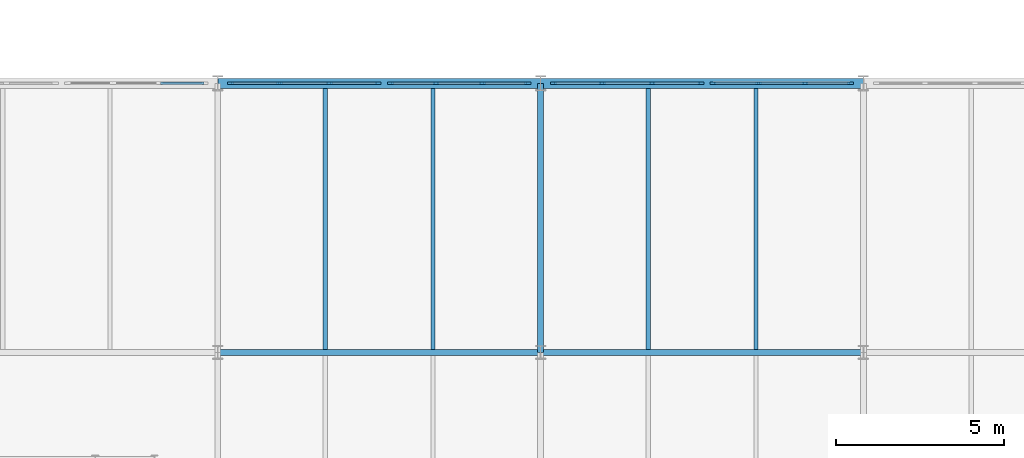
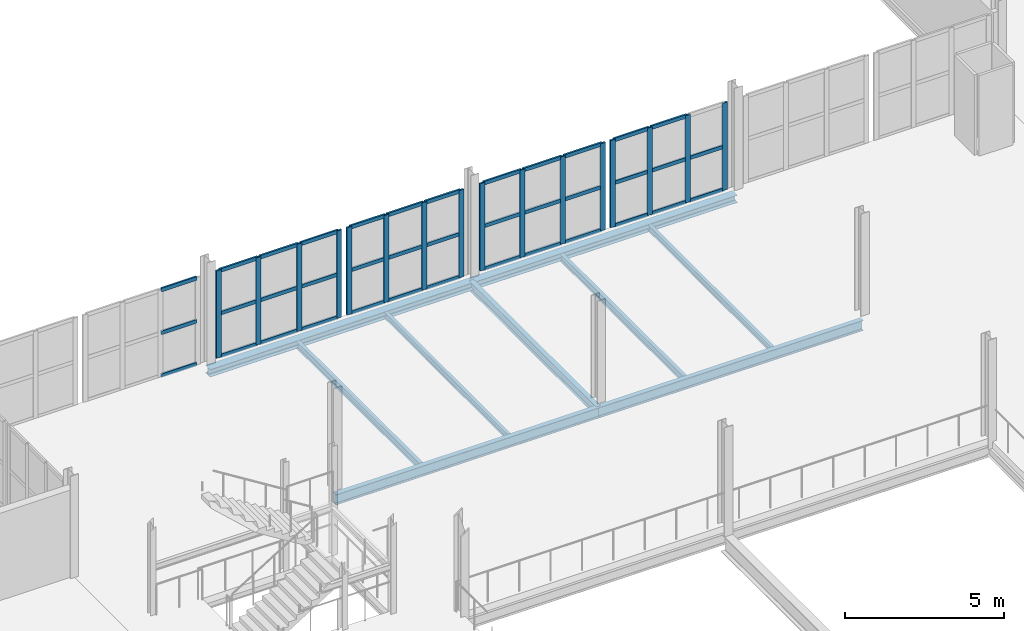
# One storey, part 49 of 85: 54 members, 9 beams, 5 elements without a shape of their own.
"""IFC4 building model written with IfcOpenShell, lengths in metres."""

import ifcopenshell
import ifcopenshell.guid

model = None  # the IFC model being written
_history = None  # IfcOwnerHistory: only IFC2X3 demands one
_inside = {}  # id of a spatial element -> (the spatial element, [elements in it])
_under = {}  # id of a project, library or spatial element -> (it, [spatial elements below it])
_declared = {}  # id of a project -> (the project, [libraries it declares])
_typed = {}  # id of a type object -> (the type object, [elements of that type])
_made_of = {}  # id of a material, layer set ... -> (it, [elements and type objects made of it])


def new_model(schema):
    """Start an empty IFC model of exactly this schema.

    Asked for "IFC4X3", IfcOpenShell would pick the latest addendum, in which some entities
    have other attributes; the version numbers below select the first issue.
    IFC2X3 requires an IfcOwnerHistory on every rooted entity: one is made here for all.
    """
    global model, _history
    if schema == "IFC4X3":
        model = ifcopenshell.file(schema_version=(4, 3, 0, 0))
    else:
        model = ifcopenshell.file(schema=schema)
    _inside.clear()
    _under.clear()
    _declared.clear()
    _typed.clear()
    _made_of.clear()
    _history = None
    if model.schema == "IFC2X3":
        org = make("IfcOrganization", Name="unknown")
        user = make(
            "IfcPersonAndOrganization",
            ThePerson=make("IfcPerson", FamilyName="unknown"),
            TheOrganization=org,
        )
        app = make(
            "IfcApplication",
            ApplicationDeveloper=org,
            Version="unknown",
            ApplicationFullName="unknown",
            ApplicationIdentifier="unknown",
        )
        _history = make(
            "IfcOwnerHistory",
            OwningUser=user,
            OwningApplication=app,
            ChangeAction="ADDED",
            CreationDate=0,
        )
    return model


def make(cls, **values):
    """One entity of the class cls with the attributes given. An attribute that is None is left unset."""
    return model.create_entity(
        cls, **{name: value for name, value in values.items() if value is not None}
    )


def rooted(cls, **values):
    """An entity with a GlobalId (a new one), such as an element, a storey or a relation."""
    return make(cls, GlobalId=ifcopenshell.guid.new(), OwnerHistory=_history, **values)


def si_unit(unit_type, name, prefix=None):
    """IfcSIUnit, for example si_unit("LENGTHUNIT", "METRE", prefix="MILLI")."""
    return make("IfcSIUnit", UnitType=unit_type, Prefix=prefix, Name=name)


def assignment(units):
    """IfcUnitAssignment: the units of a project."""
    return None if units is None else make("IfcUnitAssignment", Units=units)


def point(xyz):
    """IfcCartesianPoint."""
    return None if xyz is None else make("IfcCartesianPoint", Coordinates=xyz)


def direction(xyz):
    """IfcDirection."""
    return None if xyz is None else make("IfcDirection", DirectionRatios=xyz)


def frame(location, z_axis=None, x_axis=None):
    """IfcAxis2Placement3D, a coordinate frame: its origin and axes. An axis left out is left unset."""
    return make(
        "IfcAxis2Placement3D",
        Location=point(location),
        Axis=direction(z_axis),
        RefDirection=direction(x_axis),
    )


def frame_2d(location, x_axis=None):
    """IfcAxis2Placement2D, a coordinate frame in the plane: its origin and x axis."""
    return make(
        "IfcAxis2Placement2D", Location=point(location), RefDirection=direction(x_axis)
    )


def origin():
    """The frame at (0, 0, 0) with its axes left unset."""
    return frame((0.0, 0.0, 0.0))


def origin_2d():
    """The frame at (0, 0) in the plane with its x axis left unset."""
    return frame_2d((0.0, 0.0))


def place(relative_to, where):
    """IfcLocalPlacement: puts the frame where relative to a parent placement (None: the world)."""
    return make(
        "IfcLocalPlacement", PlacementRelTo=relative_to, RelativePlacement=where
    )


def context(
    kind, dimensions, precision=None, world=None, true_north=None, identifier=None
):
    """IfcGeometricRepresentationContext, for example the 3D "Model" context."""
    return make(
        "IfcGeometricRepresentationContext",
        ContextIdentifier=identifier,
        ContextType=kind,
        CoordinateSpaceDimension=dimensions,
        Precision=precision,
        WorldCoordinateSystem=world,
        TrueNorth=true_north,
    )


def subcontext(parent, identifier, kind, view, scale=None):
    """IfcGeometricRepresentationSubContext, for example "Body" below "Model"."""
    return make(
        "IfcGeometricRepresentationSubContext",
        ContextIdentifier=identifier,
        ContextType=kind,
        ParentContext=parent,
        TargetScale=scale,
        TargetView=view,
    )


def project(units=None, contexts=None):
    """IfcProject with its units and contexts."""
    return rooted(
        "IfcProject",
        Name="project",
        RepresentationContexts=contexts,
        UnitsInContext=assignment(units),
    )


def spatial(cls, under=None, at=None, **own):
    """A site, building, storey or space (cls), placed at a placement, below another one or the project."""
    s = rooted(cls, ObjectPlacement=at, **own)
    if under is not None:
        _under.setdefault(under.id(), (under, []))[1].append(s)
    return s


def profile(cls, at=None, kind="AREA", **sizes):
    """A parametric profile (cls). Its sizes go by their IFC names, for example OverallWidth=200.0."""
    return make(cls, ProfileType=kind, Position=at, **sizes)


def rectangle(**sizes):
    """IfcRectangleProfileDef."""
    return profile("IfcRectangleProfileDef", **sizes)


def i_section(**sizes):
    """IfcIShapeProfileDef."""
    return profile("IfcIShapeProfileDef", **sizes)


def extrude(swept, where, along, depth):
    """IfcExtrudedAreaSolid: the profile swept, set in the frame where, extruded along a direction by depth."""
    return make(
        "IfcExtrudedAreaSolid",
        SweptArea=swept,
        Position=where,
        ExtrudedDirection=direction(along),
        Depth=depth,
    )


def shape(context_of_items, identifier, shape_type, items):
    """IfcShapeRepresentation: the items that make up one representation, for example the "Body"."""
    return make(
        "IfcShapeRepresentation",
        ContextOfItems=context_of_items,
        RepresentationIdentifier=identifier,
        RepresentationType=shape_type,
        Items=items,
    )


def material(Name=None, Category=None):
    """IfcMaterial."""
    return make("IfcMaterial", Name=Name, Category=Category)


def layer(
    of_material, thickness, ventilated=None, Name=None, Category=None, Priority=None
):
    """IfcMaterialLayer: one layer of a wall or slab, of a material (None: an air gap)."""
    return make(
        "IfcMaterialLayer",
        Material=of_material,
        LayerThickness=thickness,
        IsVentilated=ventilated,
        Name=Name,
        Category=Category,
        Priority=Priority,
    )


def layer_set(layers, Name=None):
    """IfcMaterialLayerSet."""
    return make("IfcMaterialLayerSet", MaterialLayers=layers, LayerSetName=Name)


def material_profile(
    of_material, cross_section, Name=None, Category=None, Priority=None
):
    """IfcMaterialProfile: a cross section and its material."""
    return make(
        "IfcMaterialProfile",
        Name=Name,
        Material=of_material,
        Profile=cross_section,
        Priority=Priority,
        Category=Category,
    )


def profile_set(profiles, Name=None, composite=None):
    """IfcMaterialProfileSet."""
    return make(
        "IfcMaterialProfileSet",
        Name=Name,
        MaterialProfiles=profiles,
        CompositeProfile=composite,
    )


def made_of(thing, what):
    """Note that an element or type object is made of a material, layer set ...; save() writes the relation."""
    if what is not None:
        _made_of.setdefault(what.id(), (what, []))[1].append(thing)
    return thing


def type_object(cls, material=None, **own):
    """A type object (cls), such as IfcWallType, which elements share."""
    return made_of(rooted(cls, **own), material)


def element(
    cls,
    number,
    at=None,
    inside=None,
    cuts=None,
    type_object=None,
    material=None,
    context=None,
    identifier="Body",
    shape_type=None,
    held_by="IfcProductDefinitionShape",
    body=None,
    shapes=None,
    **own,
):
    """One element of the class cls, such as IfcWall. Its Tag is "e" and its number.

    at: its placement. inside: the storey or other place that contains it. cuts: it is an
    opening in that element (IfcRelVoidsElement). A single representation is given by context,
    identifier, shape_type and body (its items); several are given by shapes. held_by: the class
    of the entity that holds the representations. save() writes the other relations.
    """
    e = rooted(cls, Tag="e%d" % number, ObjectPlacement=at, **own)
    if body is not None:
        shapes = [shape(context, identifier, shape_type, body)]
    if shapes is not None:
        e.Representation = make(held_by, Representations=shapes)
    if inside is not None:
        _inside.setdefault(inside.id(), (inside, []))[1].append(e)
    if cuts is not None:
        rooted(
            "IfcRelVoidsElement", RelatingBuildingElement=cuts, RelatedOpeningElement=e
        )
    if type_object is not None:
        _typed.setdefault(type_object.id(), (type_object, []))[1].append(e)
    return made_of(e, material)


def aggregate(whole, parts):
    """IfcRelAggregates: a whole, such as a stair, and the parts it consists of."""
    return rooted("IfcRelAggregates", RelatingObject=whole, RelatedObjects=parts)


def save(model, path):
    """Write the relations noted so far, then the file.

    IfcRelAggregates (storeys below a building ...), IfcRelContainedInSpatialStructure (elements
    in a storey), IfcRelDefinesByType, IfcRelAssociatesMaterial and IfcRelDeclares: one each for
    every whole, place, type object, material and project.
    """
    for whole, parts in _under.values():
        aggregate(whole, parts)
    for where, things in _inside.values():
        rooted(
            "IfcRelContainedInSpatialStructure",
            RelatedElements=things,
            RelatingStructure=where,
        )
    for kind, things in _typed.values():
        rooted("IfcRelDefinesByType", RelatedObjects=things, RelatingType=kind)
    for what, things in _made_of.values():
        rooted("IfcRelAssociatesMaterial", RelatedObjects=things, RelatingMaterial=what)
    for by, libraries in _declared.values():
        rooted("IfcRelDeclares", RelatingContext=by, RelatedDefinitions=libraries)
    model.write(path)


model = new_model("IFC4")

# Units and contexts
model_context = context("Model", 3, precision=1e-05, world=origin(), true_north=direction((0.0, 1.0)))
body_context = subcontext(model_context, "Body", "Model", "MODEL_VIEW")
ifc_project = project(units=[si_unit("LENGTHUNIT", "METRE"), si_unit("AREAUNIT", "SQUARE_METRE"), si_unit("VOLUMEUNIT", "CUBIC_METRE"), si_unit("PLANEANGLEUNIT", "RADIAN"), si_unit("MASSUNIT", "GRAM", prefix="KILO")], contexts=[model_context])

# Site, building, storey
site_placement = place(None, origin())
site = spatial("IfcSite", under=ifc_project, at=site_placement, CompositionType="ELEMENT")
building_placement = place(site_placement, origin())
building = spatial("IfcBuilding", under=site, at=building_placement, Name="Alderhovde Museum", CompositionType="ELEMENT")
storey_placement = place(building_placement, frame((0.0, 0.0, 8.699951171875)))
storey = spatial("IfcBuildingStorey", under=building, at=storey_placement, Name="L02", CompositionType="ELEMENT", Elevation=8.699951171875)

# Beams
ifc_material_1 = material(Name="Steel S355J2", Category="steel")
ifc_material_profile_1 = material_profile(ifc_material_1, i_section(OverallWidth=0.169921875, OverallDepth=0.360107421875, WebThickness=0.008056640625, FlangeThickness=0.0126953125, FilletRadius=0.01806640625, at=origin_2d()), Name="IPE 360")
ifc_profile_set_1 = profile_set([ifc_material_profile_1], Name="Steel S355J2")
beam_type_1 = type_object("IfcBeamType", Name="BM-IPE360", PredefinedType="BEAM", material=ifc_profile_set_1)
beam_placement = place(storey_placement, frame((96.0, 80.0, -0.43994140625), z_axis=(0.0, 1.0, 0.0), x_axis=(-1.0, 0.0, 0.0)))
element("IfcBeam", 1, at=beam_placement, inside=storey, type_object=beam_type_1, Name="L02 Grid Beam X=96.0 (80.0 TO 88.0)", PredefinedType="BEAM", context=body_context, shape_type="SweptSolid", body=[
    extrude(i_section(OverallWidth=0.169921875, OverallDepth=0.360107421875, WebThickness=0.008056640625, FlangeThickness=0.0126953125, FilletRadius=0.01806640625, at=origin_2d()), origin(), (0.0, 0.0, 1.0), 8.0),
])
ifc_material_2 = material(Name="Steel S355J2", Category="steel")
ifc_material_profile_2 = material_profile(ifc_material_2, i_section(OverallWidth=0.179931640625, OverallDepth=0.39990234375, WebThickness=0.008544921875, FlangeThickness=0.013427734375, FilletRadius=0.02099609375, at=origin_2d()), Name="IPE 400")
ifc_profile_set_2 = profile_set([ifc_material_profile_2], Name="Steel S355J2")
beam_type_2 = type_object("IfcBeamType", Name="BM-IPE400", PredefinedType="BEAM", material=ifc_profile_set_2)
for number, where, z_axis, x_axis, name in (
    (2, (86.39990234375, 80.0, -0.4599609375), (1.0, 0.0, 0.0), (0.0, 1.0, 0.0), "L02 Grid Beam Y=80.0 (86.4 TO 96.0)"),
    (3, (96.0, 80.0, -0.4599609375), (1.0, 0.0, 0.0), (0.0, 1.0, 0.0), "L02 Grid Beam Y=80.0 (96.0 TO 105.6)"),
):
    element("IfcBeam", number, at=place(storey_placement, frame(where, z_axis=z_axis, x_axis=x_axis)), inside=storey, type_object=beam_type_2, Name=name, PredefinedType="BEAM", context=body_context, shape_type="SweptSolid", body=[
        extrude(i_section(OverallWidth=0.179931640625, OverallDepth=0.39990234375, WebThickness=0.008544921875, FlangeThickness=0.013427734375, FilletRadius=0.02099609375, at=origin_2d()), origin(), (0.0, 0.0, 1.0), 9.60009765625),
    ])

# Curtain wall, members
ifc_material_3 = material(Name="Triple-Glazed Bronze-Anodised Curtain Wall", Category="glass")
ifc_layer_1 = layer(ifc_material_3, 0.179931640625)
ifc_layer_set_1 = layer_set([ifc_layer_1], Name="Triple-Glazed Bronze-Anodised Curtain Wall")
curtain_wall_type_1 = type_object("IfcCurtainWallType", Name="CW-UNIT-445x336", PredefinedType="USERDEFINED", material=ifc_layer_set_1)
curtain_wall_1_placement = place(storey_placement, origin())
curtain_wall_1 = element("IfcCurtainWall", 4, at=curtain_wall_1_placement, inside=storey, type_object=curtain_wall_type_1, Name="L02 Unitised Curtain Wall 29", ObjectType="UNITISED CURTAIN WALL", PredefinedType="USERDEFINED")
ifc_material_4 = material(Name="Bronze-Anodised Aluminium EN AW-6063-T6", Category="aluminium")
ifc_material_profile_3 = material_profile(ifc_material_4, rectangle(XDim=0.06494140625, YDim=0.179931640625, at=origin_2d()), Name="MULLION 65x180")
ifc_profile_set_3 = profile_set([ifc_material_profile_3], Name="Bronze-Anodised Aluminium EN AW-6063-T6")
member_type_1 = type_object("IfcMemberType", Name="CWM-65x180", PredefinedType="MULLION", material=ifc_profile_set_3)
member_1_placement = place(storey_placement, frame((86.782470703125, 88.0, 0.0), z_axis=(0.0, 0.0, 1.0), x_axis=(0.0, 1.0, 0.0)))
member_1 = element("IfcMember", 5, at=member_1_placement, type_object=member_type_1, Name="CW10 mullion 1", PredefinedType="MULLION", context=body_context, shape_type="SweptSolid", body=[
    extrude(rectangle(XDim=0.06494140625, YDim=0.179931640625, at=origin_2d()), origin(), (0.0, 0.0, 1.0), 3.360107421875),
])
member_2_placement = place(storey_placement, frame((88.2333984375, 88.0, 0.0), z_axis=(0.0, 0.0, 1.0), x_axis=(0.0, 1.0, 0.0)))
member_2 = element("IfcMember", 6, at=member_2_placement, type_object=member_type_1, Name="CW10 mullion 2", PredefinedType="MULLION", context=body_context, shape_type="SweptSolid", body=[
    extrude(rectangle(XDim=0.06494140625, YDim=0.179931640625, at=origin_2d()), origin(), (0.0, 0.0, 1.0), 3.360107421875),
])
member_3_placement = place(storey_placement, frame((89.716552734375, 88.0, 0.0), z_axis=(0.0, 0.0, 1.0), x_axis=(0.0, 1.0, 0.0)))
member_3 = element("IfcMember", 7, at=member_3_placement, type_object=member_type_1, Name="CW10 mullion 3", PredefinedType="MULLION", context=body_context, shape_type="SweptSolid", body=[
    extrude(rectangle(XDim=0.06494140625, YDim=0.179931640625, at=origin_2d()), origin(), (0.0, 0.0, 1.0), 3.360107421875),
])
member_4_placement = place(storey_placement, frame((91.16748046875, 88.0, 0.0), z_axis=(0.0, 0.0, 1.0), x_axis=(0.0, 1.0, 0.0)))
member_4 = element("IfcMember", 8, at=member_4_placement, type_object=member_type_1, Name="CW10 mullion 4", PredefinedType="MULLION", context=body_context, shape_type="SweptSolid", body=[
    extrude(rectangle(XDim=0.06494140625, YDim=0.179931640625, at=origin_2d()), origin(), (0.0, 0.0, 1.0), 3.360107421875),
])

ifc_material_5 = material(Name="Triple-Glazed Bronze-Anodised Curtain Wall", Category="glass")
ifc_layer_2 = layer(ifc_material_5, 0.179931640625)
ifc_layer_set_2 = layer_set([ifc_layer_2], Name="Triple-Glazed Bronze-Anodised Curtain Wall")
curtain_wall_type_2 = type_object("IfcCurtainWallType", Name="CW-UNIT-415x336", PredefinedType="USERDEFINED", material=ifc_layer_set_2)
curtain_wall_2_placement = place(storey_placement, origin())
curtain_wall_2 = element("IfcCurtainWall", 9, at=curtain_wall_2_placement, inside=storey, type_object=curtain_wall_type_2, Name="L02 Unitised Curtain Wall 30", ObjectType="UNITISED CURTAIN WALL", PredefinedType="USERDEFINED")
member_5_placement = place(storey_placement, frame((91.532470703125, 88.0, 0.0), z_axis=(0.0, 0.0, 1.0), x_axis=(0.0, 1.0, 0.0)))
member_5 = element("IfcMember", 10, at=member_5_placement, type_object=member_type_1, Name="CW11 mullion 1", PredefinedType="MULLION", context=body_context, shape_type="SweptSolid", body=[
    extrude(rectangle(XDim=0.06494140625, YDim=0.179931640625, at=origin_2d()), origin(), (0.0, 0.0, 1.0), 3.360107421875),
])
member_6_placement = place(storey_placement, frame((92.88330078125, 88.0, 0.0), z_axis=(0.0, 0.0, 1.0), x_axis=(0.0, 1.0, 0.0)))
member_6 = element("IfcMember", 11, at=member_6_placement, type_object=member_type_1, Name="CW11 mullion 2", PredefinedType="MULLION", context=body_context, shape_type="SweptSolid", body=[
    extrude(rectangle(XDim=0.06494140625, YDim=0.179931640625, at=origin_2d()), origin(), (0.0, 0.0, 1.0), 3.360107421875),
])
member_7_placement = place(storey_placement, frame((94.2666015625, 88.0, 0.0), z_axis=(0.0, 0.0, 1.0), x_axis=(0.0, 1.0, 0.0)))
member_7 = element("IfcMember", 12, at=member_7_placement, type_object=member_type_1, Name="CW11 mullion 3", PredefinedType="MULLION", context=body_context, shape_type="SweptSolid", body=[
    extrude(rectangle(XDim=0.06494140625, YDim=0.179931640625, at=origin_2d()), origin(), (0.0, 0.0, 1.0), 3.360107421875),
])
member_8_placement = place(storey_placement, frame((95.617431640625, 88.0, 0.0), z_axis=(0.0, 0.0, 1.0), x_axis=(0.0, 1.0, 0.0)))
member_8 = element("IfcMember", 13, at=member_8_placement, type_object=member_type_1, Name="CW11 mullion 4", PredefinedType="MULLION", context=body_context, shape_type="SweptSolid", body=[
    extrude(rectangle(XDim=0.06494140625, YDim=0.179931640625, at=origin_2d()), origin(), (0.0, 0.0, 1.0), 3.360107421875),
])

curtain_wall_3_placement = place(storey_placement, origin())
curtain_wall_3 = element("IfcCurtainWall", 14, at=curtain_wall_3_placement, inside=storey, type_object=curtain_wall_type_1, Name="L02 Unitised Curtain Wall 31", ObjectType="UNITISED CURTAIN WALL", PredefinedType="USERDEFINED")
member_9_placement = place(storey_placement, frame((96.382568359375, 88.0, 0.0), z_axis=(0.0, 0.0, 1.0), x_axis=(0.0, 1.0, 0.0)))
member_9 = element("IfcMember", 15, at=member_9_placement, type_object=member_type_1, Name="CW10 mullion 1", PredefinedType="MULLION", context=body_context, shape_type="SweptSolid", body=[
    extrude(rectangle(XDim=0.06494140625, YDim=0.179931640625, at=origin_2d()), origin(), (0.0, 0.0, 1.0), 3.360107421875),
])
member_10_placement = place(storey_placement, frame((97.833251953125, 88.0, 0.0), z_axis=(0.0, 0.0, 1.0), x_axis=(0.0, 1.0, 0.0)))
member_10 = element("IfcMember", 16, at=member_10_placement, type_object=member_type_1, Name="CW10 mullion 2", PredefinedType="MULLION", context=body_context, shape_type="SweptSolid", body=[
    extrude(rectangle(XDim=0.06494140625, YDim=0.179931640625, at=origin_2d()), origin(), (0.0, 0.0, 1.0), 3.360107421875),
])
member_11_placement = place(storey_placement, frame((99.316650390625, 88.0, 0.0), z_axis=(0.0, 0.0, 1.0), x_axis=(0.0, 1.0, 0.0)))
member_11 = element("IfcMember", 17, at=member_11_placement, type_object=member_type_1, Name="CW10 mullion 3", PredefinedType="MULLION", context=body_context, shape_type="SweptSolid", body=[
    extrude(rectangle(XDim=0.06494140625, YDim=0.179931640625, at=origin_2d()), origin(), (0.0, 0.0, 1.0), 3.360107421875),
])
member_12_placement = place(storey_placement, frame((100.767578125, 88.0, 0.0), z_axis=(0.0, 0.0, 1.0), x_axis=(0.0, 1.0, 0.0)))
member_12 = element("IfcMember", 18, at=member_12_placement, type_object=member_type_1, Name="CW10 mullion 4", PredefinedType="MULLION", context=body_context, shape_type="SweptSolid", body=[
    extrude(rectangle(XDim=0.06494140625, YDim=0.179931640625, at=origin_2d()), origin(), (0.0, 0.0, 1.0), 3.360107421875),
])

curtain_wall_4_placement = place(storey_placement, origin())
curtain_wall_4 = element("IfcCurtainWall", 19, at=curtain_wall_4_placement, inside=storey, type_object=curtain_wall_type_2, Name="L02 Unitised Curtain Wall 32", ObjectType="UNITISED CURTAIN WALL", PredefinedType="USERDEFINED")
member_13_placement = place(storey_placement, frame((101.132568359375, 88.0, 0.0), z_axis=(0.0, 0.0, 1.0), x_axis=(0.0, 1.0, 0.0)))
member_13 = element("IfcMember", 20, at=member_13_placement, type_object=member_type_1, Name="CW11 mullion 1", PredefinedType="MULLION", context=body_context, shape_type="SweptSolid", body=[
    extrude(rectangle(XDim=0.06494140625, YDim=0.179931640625, at=origin_2d()), origin(), (0.0, 0.0, 1.0), 3.360107421875),
])
member_14_placement = place(storey_placement, frame((102.4833984375, 88.0, 0.0), z_axis=(0.0, 0.0, 1.0), x_axis=(0.0, 1.0, 0.0)))
member_14 = element("IfcMember", 21, at=member_14_placement, type_object=member_type_1, Name="CW11 mullion 2", PredefinedType="MULLION", context=body_context, shape_type="SweptSolid", body=[
    extrude(rectangle(XDim=0.06494140625, YDim=0.179931640625, at=origin_2d()), origin(), (0.0, 0.0, 1.0), 3.360107421875),
])
member_15_placement = place(storey_placement, frame((103.86669921875, 88.0, 0.0), z_axis=(0.0, 0.0, 1.0), x_axis=(0.0, 1.0, 0.0)))
member_15 = element("IfcMember", 22, at=member_15_placement, type_object=member_type_1, Name="CW11 mullion 3", PredefinedType="MULLION", context=body_context, shape_type="SweptSolid", body=[
    extrude(rectangle(XDim=0.06494140625, YDim=0.179931640625, at=origin_2d()), origin(), (0.0, 0.0, 1.0), 3.360107421875),
])
member_16_placement = place(storey_placement, frame((105.217529296875, 88.0, 0.0), z_axis=(0.0, 0.0, 1.0), x_axis=(0.0, 1.0, 0.0)))
member_16 = element("IfcMember", 23, at=member_16_placement, type_object=member_type_1, Name="CW11 mullion 4", PredefinedType="MULLION", context=body_context, shape_type="SweptSolid", body=[
    extrude(rectangle(XDim=0.06494140625, YDim=0.179931640625, at=origin_2d()), origin(), (0.0, 0.0, 1.0), 3.360107421875),
])

curtain_wall_5_placement = place(storey_placement, origin())
curtain_wall_5 = element("IfcCurtainWall", 24, at=curtain_wall_5_placement, inside=storey, type_object=curtain_wall_type_2, Name="L02 Unitised Curtain Wall 28", ObjectType="UNITISED CURTAIN WALL", PredefinedType="USERDEFINED")
ifc_material_6 = material(Name="Bronze-Anodised Aluminium EN AW-6063-T6", Category="aluminium")
ifc_material_profile_4 = material_profile(ifc_material_6, rectangle(XDim=0.06494140625, YDim=0.139892578125, at=origin_2d()), Name="TRANSOM 65x140")
ifc_profile_set_4 = profile_set([ifc_material_profile_4], Name="Bronze-Anodised Aluminium EN AW-6063-T6")
member_type_2 = type_object("IfcMemberType", Name="CWT-65x140", PredefinedType="USERDEFINED", material=ifc_profile_set_4)
member_17_placement = place(storey_placement, frame((84.69921875, 88.0, 0.032470703125), z_axis=(1.0, 0.0, 0.0), x_axis=(0.0, 1.0, 0.0)))
member_17 = element("IfcMember", 25, at=member_17_placement, type_object=member_type_2, Name="CW11 transom 3.1", ObjectType="TRANSOM", PredefinedType="USERDEFINED", context=body_context, shape_type="SweptSolid", body=[
    extrude(rectangle(XDim=0.06494140625, YDim=0.139892578125, at=origin_2d()), origin(), (0.0, 0.0, 1.0), 1.285888671875),
])
member_18_placement = place(storey_placement, frame((84.69921875, 88.0, 1.679931640625), z_axis=(1.0, 0.0, 0.0), x_axis=(0.0, 1.0, 0.0)))
member_18 = element("IfcMember", 26, at=member_18_placement, type_object=member_type_2, Name="CW11 transom 3.2", ObjectType="TRANSOM", PredefinedType="USERDEFINED", context=body_context, shape_type="SweptSolid", body=[
    extrude(rectangle(XDim=0.06494140625, YDim=0.139892578125, at=origin_2d()), origin(), (0.0, 0.0, 1.0), 1.285888671875),
])
member_19_placement = place(storey_placement, frame((84.69921875, 88.0, 3.32763671875), z_axis=(1.0, 0.0, 0.0), x_axis=(0.0, 1.0, 0.0)))
member_19 = element("IfcMember", 27, at=member_19_placement, type_object=member_type_2, Name="CW11 transom 3.3", ObjectType="TRANSOM", PredefinedType="USERDEFINED", context=body_context, shape_type="SweptSolid", body=[
    extrude(rectangle(XDim=0.06494140625, YDim=0.139892578125, at=origin_2d()), origin(), (0.0, 0.0, 1.0), 1.285888671875),
])
aggregate(curtain_wall_5, [member_17, member_18, member_19])

# Member
member_20_placement = place(storey_placement, frame((86.81494140625, 88.0, 0.032470703125), z_axis=(1.0, 0.0, 0.0), x_axis=(0.0, 1.0, 0.0)))
member_20 = element("IfcMember", 28, at=member_20_placement, type_object=member_type_2, Name="CW10 transom 1.1", ObjectType="TRANSOM", PredefinedType="USERDEFINED", context=body_context, shape_type="SweptSolid", body=[
    extrude(rectangle(XDim=0.06494140625, YDim=0.139892578125, at=origin_2d()), origin(), (0.0, 0.0, 1.0), 1.385986328125),
])

member_21_placement = place(storey_placement, frame((86.81494140625, 88.0, 1.679931640625), z_axis=(1.0, 0.0, 0.0), x_axis=(0.0, 1.0, 0.0)))
member_21 = element("IfcMember", 29, at=member_21_placement, type_object=member_type_2, Name="CW10 transom 1.2", ObjectType="TRANSOM", PredefinedType="USERDEFINED", context=body_context, shape_type="SweptSolid", body=[
    extrude(rectangle(XDim=0.06494140625, YDim=0.139892578125, at=origin_2d()), origin(), (0.0, 0.0, 1.0), 1.385986328125),
])

member_22_placement = place(storey_placement, frame((86.81494140625, 88.0, 3.32763671875), z_axis=(1.0, 0.0, 0.0), x_axis=(0.0, 1.0, 0.0)))
member_22 = element("IfcMember", 30, at=member_22_placement, type_object=member_type_2, Name="CW10 transom 1.3", ObjectType="TRANSOM", PredefinedType="USERDEFINED", context=body_context, shape_type="SweptSolid", body=[
    extrude(rectangle(XDim=0.06494140625, YDim=0.139892578125, at=origin_2d()), origin(), (0.0, 0.0, 1.0), 1.385986328125),
])

member_23_placement = place(storey_placement, frame((88.265869140625, 88.0, 0.032470703125), z_axis=(1.0, 0.0, 0.0), x_axis=(0.0, 1.0, 0.0)))
member_23 = element("IfcMember", 31, at=member_23_placement, type_object=member_type_2, Name="CW10 transom 2.1", ObjectType="TRANSOM", PredefinedType="USERDEFINED", context=body_context, shape_type="SweptSolid", body=[
    extrude(rectangle(XDim=0.06494140625, YDim=0.139892578125, at=origin_2d()), origin(), (0.0, 0.0, 1.0), 1.418212890625),
])

member_24_placement = place(storey_placement, frame((88.265869140625, 88.0, 1.679931640625), z_axis=(1.0, 0.0, 0.0), x_axis=(0.0, 1.0, 0.0)))
member_24 = element("IfcMember", 32, at=member_24_placement, type_object=member_type_2, Name="CW10 transom 2.2", ObjectType="TRANSOM", PredefinedType="USERDEFINED", context=body_context, shape_type="SweptSolid", body=[
    extrude(rectangle(XDim=0.06494140625, YDim=0.139892578125, at=origin_2d()), origin(), (0.0, 0.0, 1.0), 1.418212890625),
])

member_25_placement = place(storey_placement, frame((88.265869140625, 88.0, 3.32763671875), z_axis=(1.0, 0.0, 0.0), x_axis=(0.0, 1.0, 0.0)))
member_25 = element("IfcMember", 33, at=member_25_placement, type_object=member_type_2, Name="CW10 transom 2.3", ObjectType="TRANSOM", PredefinedType="USERDEFINED", context=body_context, shape_type="SweptSolid", body=[
    extrude(rectangle(XDim=0.06494140625, YDim=0.139892578125, at=origin_2d()), origin(), (0.0, 0.0, 1.0), 1.418212890625),
])

member_26_placement = place(storey_placement, frame((89.749267578125, 88.0, 0.032470703125), z_axis=(1.0, 0.0, 0.0), x_axis=(0.0, 1.0, 0.0)))
member_26 = element("IfcMember", 34, at=member_26_placement, type_object=member_type_2, Name="CW10 transom 3.1", ObjectType="TRANSOM", PredefinedType="USERDEFINED", context=body_context, shape_type="SweptSolid", body=[
    extrude(rectangle(XDim=0.06494140625, YDim=0.139892578125, at=origin_2d()), origin(), (0.0, 0.0, 1.0), 1.3857421875),
])

member_27_placement = place(storey_placement, frame((89.749267578125, 88.0, 1.679931640625), z_axis=(1.0, 0.0, 0.0), x_axis=(0.0, 1.0, 0.0)))
member_27 = element("IfcMember", 35, at=member_27_placement, type_object=member_type_2, Name="CW10 transom 3.2", ObjectType="TRANSOM", PredefinedType="USERDEFINED", context=body_context, shape_type="SweptSolid", body=[
    extrude(rectangle(XDim=0.06494140625, YDim=0.139892578125, at=origin_2d()), origin(), (0.0, 0.0, 1.0), 1.3857421875),
])

member_28_placement = place(storey_placement, frame((89.749267578125, 88.0, 3.32763671875), z_axis=(1.0, 0.0, 0.0), x_axis=(0.0, 1.0, 0.0)))
member_28 = element("IfcMember", 36, at=member_28_placement, type_object=member_type_2, Name="CW10 transom 3.3", ObjectType="TRANSOM", PredefinedType="USERDEFINED", context=body_context, shape_type="SweptSolid", body=[
    extrude(rectangle(XDim=0.06494140625, YDim=0.139892578125, at=origin_2d()), origin(), (0.0, 0.0, 1.0), 1.3857421875),
])

aggregate(curtain_wall_1, [member_1, member_2, member_3, member_4, member_20, member_21, member_22, member_23, member_24, member_25, member_26, member_27, member_28])

member_29_placement = place(storey_placement, frame((91.56494140625, 88.0, 0.032470703125), z_axis=(1.0, 0.0, 0.0), x_axis=(0.0, 1.0, 0.0)))
member_29 = element("IfcMember", 37, at=member_29_placement, type_object=member_type_2, Name="CW11 transom 1.1", ObjectType="TRANSOM", PredefinedType="USERDEFINED", context=body_context, shape_type="SweptSolid", body=[
    extrude(rectangle(XDim=0.06494140625, YDim=0.139892578125, at=origin_2d()), origin(), (0.0, 0.0, 1.0), 1.285888671875),
])

member_30_placement = place(storey_placement, frame((91.56494140625, 88.0, 1.679931640625), z_axis=(1.0, 0.0, 0.0), x_axis=(0.0, 1.0, 0.0)))
member_30 = element("IfcMember", 38, at=member_30_placement, type_object=member_type_2, Name="CW11 transom 1.2", ObjectType="TRANSOM", PredefinedType="USERDEFINED", context=body_context, shape_type="SweptSolid", body=[
    extrude(rectangle(XDim=0.06494140625, YDim=0.139892578125, at=origin_2d()), origin(), (0.0, 0.0, 1.0), 1.285888671875),
])

member_31_placement = place(storey_placement, frame((91.56494140625, 88.0, 3.32763671875), z_axis=(1.0, 0.0, 0.0), x_axis=(0.0, 1.0, 0.0)))
member_31 = element("IfcMember", 39, at=member_31_placement, type_object=member_type_2, Name="CW11 transom 1.3", ObjectType="TRANSOM", PredefinedType="USERDEFINED", context=body_context, shape_type="SweptSolid", body=[
    extrude(rectangle(XDim=0.06494140625, YDim=0.139892578125, at=origin_2d()), origin(), (0.0, 0.0, 1.0), 1.285888671875),
])

member_32_placement = place(storey_placement, frame((92.915771484375, 88.0, 0.032470703125), z_axis=(1.0, 0.0, 0.0), x_axis=(0.0, 1.0, 0.0)))
member_32 = element("IfcMember", 40, at=member_32_placement, type_object=member_type_2, Name="CW11 transom 2.1", ObjectType="TRANSOM", PredefinedType="USERDEFINED", context=body_context, shape_type="SweptSolid", body=[
    extrude(rectangle(XDim=0.06494140625, YDim=0.139892578125, at=origin_2d()), origin(), (0.0, 0.0, 1.0), 1.318359375),
])

member_33_placement = place(storey_placement, frame((92.915771484375, 88.0, 1.679931640625), z_axis=(1.0, 0.0, 0.0), x_axis=(0.0, 1.0, 0.0)))
member_33 = element("IfcMember", 41, at=member_33_placement, type_object=member_type_2, Name="CW11 transom 2.2", ObjectType="TRANSOM", PredefinedType="USERDEFINED", context=body_context, shape_type="SweptSolid", body=[
    extrude(rectangle(XDim=0.06494140625, YDim=0.139892578125, at=origin_2d()), origin(), (0.0, 0.0, 1.0), 1.318359375),
])

member_34_placement = place(storey_placement, frame((92.915771484375, 88.0, 3.32763671875), z_axis=(1.0, 0.0, 0.0), x_axis=(0.0, 1.0, 0.0)))
member_34 = element("IfcMember", 42, at=member_34_placement, type_object=member_type_2, Name="CW11 transom 2.3", ObjectType="TRANSOM", PredefinedType="USERDEFINED", context=body_context, shape_type="SweptSolid", body=[
    extrude(rectangle(XDim=0.06494140625, YDim=0.139892578125, at=origin_2d()), origin(), (0.0, 0.0, 1.0), 1.318359375),
])

member_35_placement = place(storey_placement, frame((94.299072265625, 88.0, 0.032470703125), z_axis=(1.0, 0.0, 0.0), x_axis=(0.0, 1.0, 0.0)))
member_35 = element("IfcMember", 43, at=member_35_placement, type_object=member_type_2, Name="CW11 transom 3.1", ObjectType="TRANSOM", PredefinedType="USERDEFINED", context=body_context, shape_type="SweptSolid", body=[
    extrude(rectangle(XDim=0.06494140625, YDim=0.139892578125, at=origin_2d()), origin(), (0.0, 0.0, 1.0), 1.285888671875),
])

member_36_placement = place(storey_placement, frame((94.299072265625, 88.0, 1.679931640625), z_axis=(1.0, 0.0, 0.0), x_axis=(0.0, 1.0, 0.0)))
member_36 = element("IfcMember", 44, at=member_36_placement, type_object=member_type_2, Name="CW11 transom 3.2", ObjectType="TRANSOM", PredefinedType="USERDEFINED", context=body_context, shape_type="SweptSolid", body=[
    extrude(rectangle(XDim=0.06494140625, YDim=0.139892578125, at=origin_2d()), origin(), (0.0, 0.0, 1.0), 1.285888671875),
])

member_37_placement = place(storey_placement, frame((94.299072265625, 88.0, 3.32763671875), z_axis=(1.0, 0.0, 0.0), x_axis=(0.0, 1.0, 0.0)))
member_37 = element("IfcMember", 45, at=member_37_placement, type_object=member_type_2, Name="CW11 transom 3.3", ObjectType="TRANSOM", PredefinedType="USERDEFINED", context=body_context, shape_type="SweptSolid", body=[
    extrude(rectangle(XDim=0.06494140625, YDim=0.139892578125, at=origin_2d()), origin(), (0.0, 0.0, 1.0), 1.285888671875),
])

aggregate(curtain_wall_2, [member_5, member_6, member_7, member_8, member_29, member_30, member_31, member_32, member_33, member_34, member_35, member_36, member_37])

member_38_placement = place(storey_placement, frame((96.4150390625, 88.0, 0.032470703125), z_axis=(1.0, 0.0, 0.0), x_axis=(0.0, 1.0, 0.0)))
member_38 = element("IfcMember", 46, at=member_38_placement, type_object=member_type_2, Name="CW10 transom 1.1", ObjectType="TRANSOM", PredefinedType="USERDEFINED", context=body_context, shape_type="SweptSolid", body=[
    extrude(rectangle(XDim=0.06494140625, YDim=0.139892578125, at=origin_2d()), origin(), (0.0, 0.0, 1.0), 1.3857421875),
])

member_39_placement = place(storey_placement, frame((96.4150390625, 88.0, 1.679931640625), z_axis=(1.0, 0.0, 0.0), x_axis=(0.0, 1.0, 0.0)))
member_39 = element("IfcMember", 47, at=member_39_placement, type_object=member_type_2, Name="CW10 transom 1.2", ObjectType="TRANSOM", PredefinedType="USERDEFINED", context=body_context, shape_type="SweptSolid", body=[
    extrude(rectangle(XDim=0.06494140625, YDim=0.139892578125, at=origin_2d()), origin(), (0.0, 0.0, 1.0), 1.3857421875),
])

member_40_placement = place(storey_placement, frame((96.4150390625, 88.0, 3.32763671875), z_axis=(1.0, 0.0, 0.0), x_axis=(0.0, 1.0, 0.0)))
member_40 = element("IfcMember", 48, at=member_40_placement, type_object=member_type_2, Name="CW10 transom 1.3", ObjectType="TRANSOM", PredefinedType="USERDEFINED", context=body_context, shape_type="SweptSolid", body=[
    extrude(rectangle(XDim=0.06494140625, YDim=0.139892578125, at=origin_2d()), origin(), (0.0, 0.0, 1.0), 1.3857421875),
])

member_41_placement = place(storey_placement, frame((97.86572265625, 88.0, 0.032470703125), z_axis=(1.0, 0.0, 0.0), x_axis=(0.0, 1.0, 0.0)))
member_41 = element("IfcMember", 49, at=member_41_placement, type_object=member_type_2, Name="CW10 transom 2.1", ObjectType="TRANSOM", PredefinedType="USERDEFINED", context=body_context, shape_type="SweptSolid", body=[
    extrude(rectangle(XDim=0.06494140625, YDim=0.139892578125, at=origin_2d()), origin(), (0.0, 0.0, 1.0), 1.41845703125),
])

member_42_placement = place(storey_placement, frame((97.86572265625, 88.0, 1.679931640625), z_axis=(1.0, 0.0, 0.0), x_axis=(0.0, 1.0, 0.0)))
member_42 = element("IfcMember", 50, at=member_42_placement, type_object=member_type_2, Name="CW10 transom 2.2", ObjectType="TRANSOM", PredefinedType="USERDEFINED", context=body_context, shape_type="SweptSolid", body=[
    extrude(rectangle(XDim=0.06494140625, YDim=0.139892578125, at=origin_2d()), origin(), (0.0, 0.0, 1.0), 1.41845703125),
])

member_43_placement = place(storey_placement, frame((97.86572265625, 88.0, 3.32763671875), z_axis=(1.0, 0.0, 0.0), x_axis=(0.0, 1.0, 0.0)))
member_43 = element("IfcMember", 51, at=member_43_placement, type_object=member_type_2, Name="CW10 transom 2.3", ObjectType="TRANSOM", PredefinedType="USERDEFINED", context=body_context, shape_type="SweptSolid", body=[
    extrude(rectangle(XDim=0.06494140625, YDim=0.139892578125, at=origin_2d()), origin(), (0.0, 0.0, 1.0), 1.41845703125),
])

member_44_placement = place(storey_placement, frame((99.34912109375, 88.0, 0.032470703125), z_axis=(1.0, 0.0, 0.0), x_axis=(0.0, 1.0, 0.0)))
member_44 = element("IfcMember", 52, at=member_44_placement, type_object=member_type_2, Name="CW10 transom 3.1", ObjectType="TRANSOM", PredefinedType="USERDEFINED", context=body_context, shape_type="SweptSolid", body=[
    extrude(rectangle(XDim=0.06494140625, YDim=0.139892578125, at=origin_2d()), origin(), (0.0, 0.0, 1.0), 1.385986328125),
])

member_45_placement = place(storey_placement, frame((99.34912109375, 88.0, 1.679931640625), z_axis=(1.0, 0.0, 0.0), x_axis=(0.0, 1.0, 0.0)))
member_45 = element("IfcMember", 53, at=member_45_placement, type_object=member_type_2, Name="CW10 transom 3.2", ObjectType="TRANSOM", PredefinedType="USERDEFINED", context=body_context, shape_type="SweptSolid", body=[
    extrude(rectangle(XDim=0.06494140625, YDim=0.139892578125, at=origin_2d()), origin(), (0.0, 0.0, 1.0), 1.385986328125),
])

member_46_placement = place(storey_placement, frame((99.34912109375, 88.0, 3.32763671875), z_axis=(1.0, 0.0, 0.0), x_axis=(0.0, 1.0, 0.0)))
member_46 = element("IfcMember", 54, at=member_46_placement, type_object=member_type_2, Name="CW10 transom 3.3", ObjectType="TRANSOM", PredefinedType="USERDEFINED", context=body_context, shape_type="SweptSolid", body=[
    extrude(rectangle(XDim=0.06494140625, YDim=0.139892578125, at=origin_2d()), origin(), (0.0, 0.0, 1.0), 1.385986328125),
])

aggregate(curtain_wall_3, [member_9, member_10, member_11, member_12, member_38, member_39, member_40, member_41, member_42, member_43, member_44, member_45, member_46])

member_47_placement = place(storey_placement, frame((101.1650390625, 88.0, 0.032470703125), z_axis=(1.0, 0.0, 0.0), x_axis=(0.0, 1.0, 0.0)))
member_47 = element("IfcMember", 55, at=member_47_placement, type_object=member_type_2, Name="CW11 transom 1.1", ObjectType="TRANSOM", PredefinedType="USERDEFINED", context=body_context, shape_type="SweptSolid", body=[
    extrude(rectangle(XDim=0.06494140625, YDim=0.139892578125, at=origin_2d()), origin(), (0.0, 0.0, 1.0), 1.285888671875),
])

member_48_placement = place(storey_placement, frame((101.1650390625, 88.0, 1.679931640625), z_axis=(1.0, 0.0, 0.0), x_axis=(0.0, 1.0, 0.0)))
member_48 = element("IfcMember", 56, at=member_48_placement, type_object=member_type_2, Name="CW11 transom 1.2", ObjectType="TRANSOM", PredefinedType="USERDEFINED", context=body_context, shape_type="SweptSolid", body=[
    extrude(rectangle(XDim=0.06494140625, YDim=0.139892578125, at=origin_2d()), origin(), (0.0, 0.0, 1.0), 1.285888671875),
])

member_49_placement = place(storey_placement, frame((101.1650390625, 88.0, 3.32763671875), z_axis=(1.0, 0.0, 0.0), x_axis=(0.0, 1.0, 0.0)))
member_49 = element("IfcMember", 57, at=member_49_placement, type_object=member_type_2, Name="CW11 transom 1.3", ObjectType="TRANSOM", PredefinedType="USERDEFINED", context=body_context, shape_type="SweptSolid", body=[
    extrude(rectangle(XDim=0.06494140625, YDim=0.139892578125, at=origin_2d()), origin(), (0.0, 0.0, 1.0), 1.285888671875),
])

member_50_placement = place(storey_placement, frame((102.515869140625, 88.0, 0.032470703125), z_axis=(1.0, 0.0, 0.0), x_axis=(0.0, 1.0, 0.0)))
member_50 = element("IfcMember", 58, at=member_50_placement, type_object=member_type_2, Name="CW11 transom 2.1", ObjectType="TRANSOM", PredefinedType="USERDEFINED", context=body_context, shape_type="SweptSolid", body=[
    extrude(rectangle(XDim=0.06494140625, YDim=0.139892578125, at=origin_2d()), origin(), (0.0, 0.0, 1.0), 1.318359375),
])

member_51_placement = place(storey_placement, frame((102.515869140625, 88.0, 1.679931640625), z_axis=(1.0, 0.0, 0.0), x_axis=(0.0, 1.0, 0.0)))
member_51 = element("IfcMember", 59, at=member_51_placement, type_object=member_type_2, Name="CW11 transom 2.2", ObjectType="TRANSOM", PredefinedType="USERDEFINED", context=body_context, shape_type="SweptSolid", body=[
    extrude(rectangle(XDim=0.06494140625, YDim=0.139892578125, at=origin_2d()), origin(), (0.0, 0.0, 1.0), 1.318359375),
])

member_52_placement = place(storey_placement, frame((102.515869140625, 88.0, 3.32763671875), z_axis=(1.0, 0.0, 0.0), x_axis=(0.0, 1.0, 0.0)))
member_52 = element("IfcMember", 60, at=member_52_placement, type_object=member_type_2, Name="CW11 transom 2.3", ObjectType="TRANSOM", PredefinedType="USERDEFINED", context=body_context, shape_type="SweptSolid", body=[
    extrude(rectangle(XDim=0.06494140625, YDim=0.139892578125, at=origin_2d()), origin(), (0.0, 0.0, 1.0), 1.318359375),
])

member_53_placement = place(storey_placement, frame((103.899169921875, 88.0, 0.032470703125), z_axis=(1.0, 0.0, 0.0), x_axis=(0.0, 1.0, 0.0)))
member_53 = element("IfcMember", 61, at=member_53_placement, type_object=member_type_2, Name="CW11 transom 3.1", ObjectType="TRANSOM", PredefinedType="USERDEFINED", context=body_context, shape_type="SweptSolid", body=[
    extrude(rectangle(XDim=0.06494140625, YDim=0.139892578125, at=origin_2d()), origin(), (0.0, 0.0, 1.0), 1.285888671875),
])

member_54_placement = place(storey_placement, frame((103.899169921875, 88.0, 1.679931640625), z_axis=(1.0, 0.0, 0.0), x_axis=(0.0, 1.0, 0.0)))
member_54 = element("IfcMember", 62, at=member_54_placement, type_object=member_type_2, Name="CW11 transom 3.2", ObjectType="TRANSOM", PredefinedType="USERDEFINED", context=body_context, shape_type="SweptSolid", body=[
    extrude(rectangle(XDim=0.06494140625, YDim=0.139892578125, at=origin_2d()), origin(), (0.0, 0.0, 1.0), 1.285888671875),
])

aggregate(curtain_wall_4, [member_13, member_14, member_15, member_16, member_47, member_48, member_49, member_50, member_51, member_52, member_53, member_54])

# Beams
ifc_material_7 = material(Name="Steel S355J2", Category="steel")
ifc_material_profile_5 = material_profile(ifc_material_7, i_section(OverallWidth=0.1201171875, OverallDepth=0.239990234375, WebThickness=0.006103515625, FlangeThickness=0.009765625, FilletRadius=0.014892578125, at=origin_2d()), Name="IPE 240")
ifc_profile_set_5 = profile_set([ifc_material_profile_5], Name="Steel S355J2")
beam_type_3 = type_object("IfcBeamType", Name="JST-IPE240", PredefinedType="JOIST", material=ifc_profile_set_5)
for number, where, z_axis, x_axis, name in (
    (63, (92.800048828125, 80.090087890625, -0.3798828125), (0.0, 1.0, 0.0), (-1.0, 0.0, 0.0), "L02 Composite Joist X=92.8 (80.0 TO 88.0)"),
    (64, (102.39990234375, 80.090087890625, -0.3798828125), (0.0, 1.0, 0.0), (-1.0, 0.0, 0.0), "L02 Composite Joist X=102.4 (80.0 TO 88.0)"),
):
    element("IfcBeam", number, at=place(storey_placement, frame(where, z_axis=z_axis, x_axis=x_axis)), inside=storey, type_object=beam_type_3, Name=name, PredefinedType="JOIST", context=body_context, shape_type="SweptSolid", body=[
        extrude(i_section(OverallWidth=0.1201171875, OverallDepth=0.239990234375, WebThickness=0.006103515625, FlangeThickness=0.009765625, FilletRadius=0.014892578125, at=origin_2d()), origin(), (0.0, 0.0, 1.0), 7.760009765625),
    ])
ifc_material_8 = material(Name="Steel S355J2", Category="steel")
ifc_material_profile_6 = material_profile(ifc_material_8, i_section(OverallWidth=0.135009765625, OverallDepth=0.27001953125, WebThickness=0.006591796875, FlangeThickness=0.01025390625, FilletRadius=0.014892578125, at=origin_2d()), Name="IPE 270")
ifc_profile_set_6 = profile_set([ifc_material_profile_6], Name="Steel S355J2")
beam_type_4 = type_object("IfcBeamType", Name="JST-IPE270", PredefinedType="JOIST", material=ifc_profile_set_6)
for number, where, z_axis, x_axis, name in (
    (65, (89.60009765625, 80.090087890625, -0.39501953125), (0.0, 1.0, 0.0), (-1.0, 0.0, 0.0), "L02 Composite Joist X=89.6 (80.0 TO 88.0)"),
    (66, (99.199951171875, 80.090087890625, -0.39501953125), (0.0, 1.0, 0.0), (-1.0, 0.0, 0.0), "L02 Composite Joist X=99.2 (80.0 TO 88.0)"),
):
    element("IfcBeam", number, at=place(storey_placement, frame(where, z_axis=z_axis, x_axis=x_axis)), inside=storey, type_object=beam_type_4, Name=name, PredefinedType="JOIST", context=body_context, shape_type="SweptSolid", body=[
        extrude(i_section(OverallWidth=0.135009765625, OverallDepth=0.27001953125, WebThickness=0.006591796875, FlangeThickness=0.01025390625, FilletRadius=0.014892578125, at=origin_2d()), origin(), (0.0, 0.0, 1.0), 7.760009765625),
    ])
ifc_material_9 = material(Name="Steel S355J2", Category="steel")
ifc_material_profile_7 = material_profile(ifc_material_9, i_section(OverallWidth=0.300048828125, OverallDepth=0.2900390625, WebThickness=0.008544921875, FlangeThickness=0.013916015625, FilletRadius=0.027099609375, at=origin_2d()), Name="HEA 300")
ifc_profile_set_7 = profile_set([ifc_material_profile_7], Name="Steel S355J2")
beam_type_5 = type_object("IfcBeamType", Name="SPD-HEA300", PredefinedType="SPANDREL", material=ifc_profile_set_7)
for number, where, z_axis, x_axis, name in (
    (67, (86.39990234375, 88.0, -0.405029296875), (1.0, 0.0, 0.0), (0.0, 1.0, 0.0), "L02 Grid Beam Y=88.0 (86.4 TO 96.0)"),
    (68, (96.0, 88.0, -0.405029296875), (1.0, 0.0, 0.0), (0.0, 1.0, 0.0), "L02 Grid Beam Y=88.0 (96.0 TO 105.6)"),
):
    element("IfcBeam", number, at=place(storey_placement, frame(where, z_axis=z_axis, x_axis=x_axis)), inside=storey, type_object=beam_type_5, Name=name, PredefinedType="SPANDREL", context=body_context, shape_type="SweptSolid", body=[
        extrude(i_section(OverallWidth=0.300048828125, OverallDepth=0.2900390625, WebThickness=0.008544921875, FlangeThickness=0.013916015625, FilletRadius=0.027099609375, at=origin_2d()), origin(), (0.0, 0.0, 1.0), 9.60009765625),
    ])

save(model, "model.ifc")
